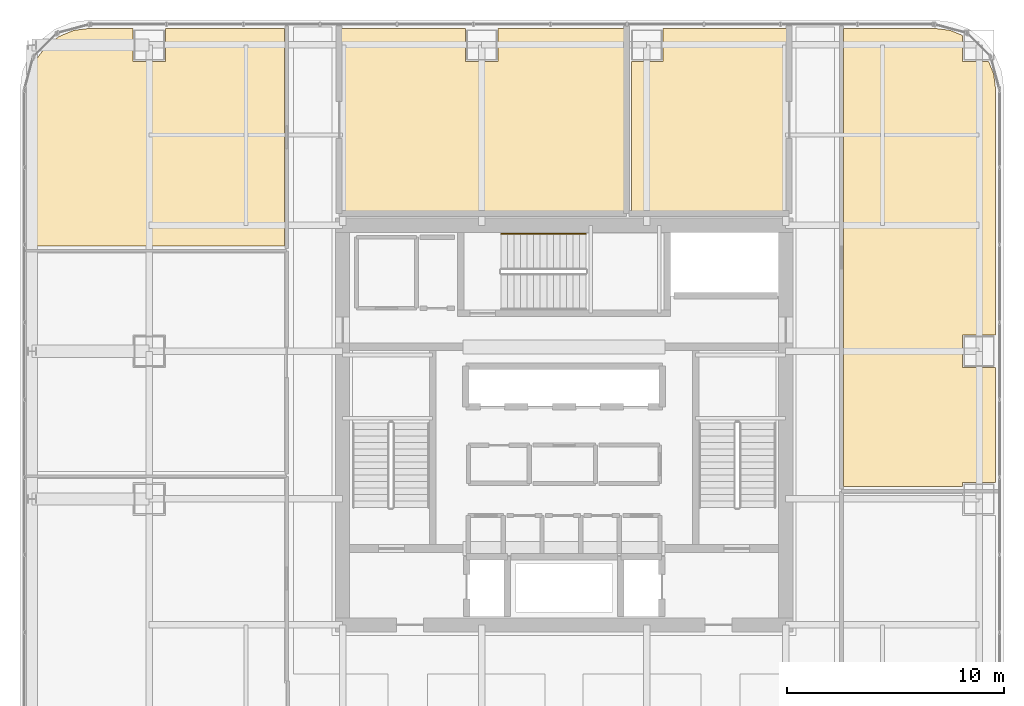
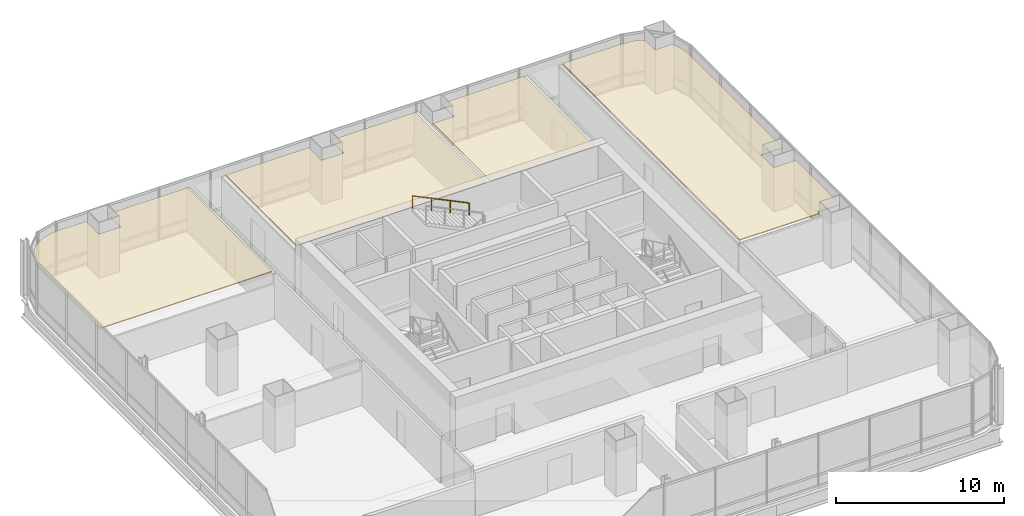
# One storey, part 36 of 36: 4 coverings, 1 railing.
"""IFC4 building model written with IfcOpenShell, lengths in metres."""

from ifc_helpers import new_model, si_unit, direction, frame, origin, origin_2d, place, context, subcontext, project, spatial, polyline, circle, outline, extrude, material, layer, layer_set, type_object, element, save


model = new_model("IFC4")

# Units and contexts
model_context = context("Model", 3, precision=1e-05, world=origin(), true_north=direction((0.0, 1.0)))
body_context = subcontext(model_context, "Body", "Model", "MODEL_VIEW")
ifc_project = project(units=[si_unit("LENGTHUNIT", "METRE"), si_unit("AREAUNIT", "SQUARE_METRE"), si_unit("VOLUMEUNIT", "CUBIC_METRE"), si_unit("PLANEANGLEUNIT", "RADIAN"), si_unit("MASSUNIT", "GRAM", prefix="KILO")], contexts=[model_context])

# Site, building, storey
site_placement = place(None, origin())
site = spatial("IfcSite", under=ifc_project, at=site_placement, CompositionType="ELEMENT")
building_placement = place(site_placement, origin())
building = spatial("IfcBuilding", under=site, at=building_placement, Name="Punatoya Terracotta Tower", CompositionType="ELEMENT")
storey_placement = place(building_placement, frame((0.0, 0.0, 196.5)))
storey = spatial("IfcBuildingStorey", under=building, at=storey_placement, Name="L46", CompositionType="ELEMENT", Elevation=196.5)

# Coverings
ifc_material_1 = material(Name="Acoustic Mineral Fibre Ceiling")
ifc_layer = layer(ifc_material_1, 0.06005859375)
ifc_layer_set = layer_set([ifc_layer], Name="Acoustic Mineral Fibre Ceiling")
covering_type = type_object("IfcCoveringType", Name="COV-CEIL-60", PredefinedType="CEILING", material=ifc_layer_set)
covering_1_placement = place(storey_placement, frame((0.0, 0.0, 3.219970703125)))
element("IfcCovering", 1, at=covering_1_placement, inside=storey, type_object=covering_type, Name="L46 Wellness Relaxation Lounge Acoustic Ceiling", PredefinedType="CEILING", context=body_context, shape_type="SweptSolid", body=[
    extrude(outline(polyline([(18.35009765625, 4.14990234375), (19.8701171875, 4.14990234375), (19.8701171875, 15.425048828125), (19.770751953125, 16.178955078125), (19.5341796875, 16.75), (18.35009765625, 16.75), (18.35009765625, 17.934326171875), (17.779052734375, 18.1708984375), (17.025146484375, 18.27001953125), (12.8701171875, 18.27001953125), (12.8701171875, -2.833984375), (18.35009765625, -2.833984375), (18.35009765625, -2.64990234375), (19.8701171875, -2.64990234375), (19.8701171875, 2.64990234375), (18.35009765625, 2.64990234375), (18.35009765625, 4.14990234375)])), origin(), (0.0, 0.0, 1.0), 0.06005859375),
])
covering_2_placement = place(storey_placement, frame((0.0, 0.0, 3.219970703125)))
element("IfcCovering", 2, at=covering_2_placement, inside=storey, type_object=covering_type, Name="L46 Open-Plan Barista Espresso Pantry Acoustic Ceiling", PredefinedType="CEILING", context=body_context, shape_type="SweptSolid", body=[
    extrude(outline(polyline([(-24.669921875, 15.425048828125), (-24.669921875, 8.238037109375), (-12.8701171875, 8.238037109375), (-12.8701171875, 18.27001953125), (-18.35009765625, 18.27001953125), (-18.35009765625, 16.75), (-19.85009765625, 16.75), (-19.85009765625, 18.27001953125), (-21.8251953125, 18.27001953125), (-22.5791015625, 18.1708984375), (-23.25830078125, 17.889404296875), (-23.841796875, 17.441650390625), (-24.289306640625, 16.8583984375), (-24.57080078125, 16.178955078125), (-24.669921875, 15.425048828125)])), origin(), (0.0, 0.0, 1.0), 0.06005859375),
])
covering_3_placement = place(storey_placement, frame((0.0, 0.0, 3.219970703125)))
element("IfcCovering", 3, at=covering_3_placement, inside=storey, type_object=covering_type, Name="L46 Open-Plan Waterfront Club Lounge Acoustic Ceiling", PredefinedType="CEILING", context=body_context, shape_type="SweptSolid", body=[
    extrude(outline(polyline([(-10.260009765625, 18.27001953125), (-10.260009765625, 9.840087890625), (2.77392578125, 9.840087890625), (2.77392578125, 18.27001953125), (-3.050048828125, 18.27001953125), (-3.050048828125, 16.75), (-4.550048828125, 16.75), (-4.550048828125, 18.27001953125), (-10.260009765625, 18.27001953125)])), origin(), (0.0, 0.0, 1.0), 0.06005859375),
])
covering_4_placement = place(storey_placement, frame((0.0, 0.0, 3.219970703125)))
element("IfcCovering", 4, at=covering_4_placement, inside=storey, type_object=covering_type, Name="L46 Open-Plan Terrace Refreshment Lounge Acoustic Ceiling", PredefinedType="CEILING", context=body_context, shape_type="SweptSolid", body=[
    extrude(outline(polyline([(4.550048828125, 18.27001953125), (4.550048828125, 16.75), (3.093994140625, 16.75), (3.093994140625, 9.840087890625), (10.260009765625, 9.840087890625), (10.260009765625, 18.27001953125), (4.550048828125, 18.27001953125)])), origin(), (0.0, 0.0, 1.0), 0.06005859375),
])

# Railing
ifc_material_2 = material(Name="Steel S355", Category="steel")
railing_type = type_object("IfcRailingType", Name="RLG-HND-900", PredefinedType="HANDRAIL", material=ifc_material_2)
railing_placement = place(storey_placement, frame((1.0, 8.800048828125, 2.169677734375)))
element("IfcRailing", 5, at=railing_placement, inside=storey, type_object=railing_type, Name="L46 ST-3 stair handrail 2", PredefinedType="HANDRAIL", context=body_context, shape_type="SweptSolid", body=[
    extrude(circle(Radius=0.02392578125, at=origin_2d()), frame((0.0, 0.0, 0.8759765625), z_axis=(-0.900763166376, 0.0, 0.434310623978), x_axis=(0.0, -1.0, 0.0)), (0.0, 0.0, 1.0), 4.32958984375),
    extrude(circle(Radius=0.02099609375, at=origin_2d()), origin(), (0.0, 0.0, 1.0), 0.851806640625),
    extrude(circle(Radius=0.02099609375, at=origin_2d()), frame((-1.300048828125, 0.0, 0.626708984375)), (0.0, 0.0, 1.0), 0.851806640625),
    extrude(circle(Radius=0.02099609375, at=origin_2d()), frame((-2.599853515625, 0.0, 1.253662109375)), (0.0, 0.0, 1.0), 0.851806640625),
    extrude(circle(Radius=0.02099609375, at=origin_2d()), frame((-3.89990234375, 0.0, 1.88037109375)), (0.0, 0.0, 1.0), 0.851806640625),
])

save(model, "model.ifc")
